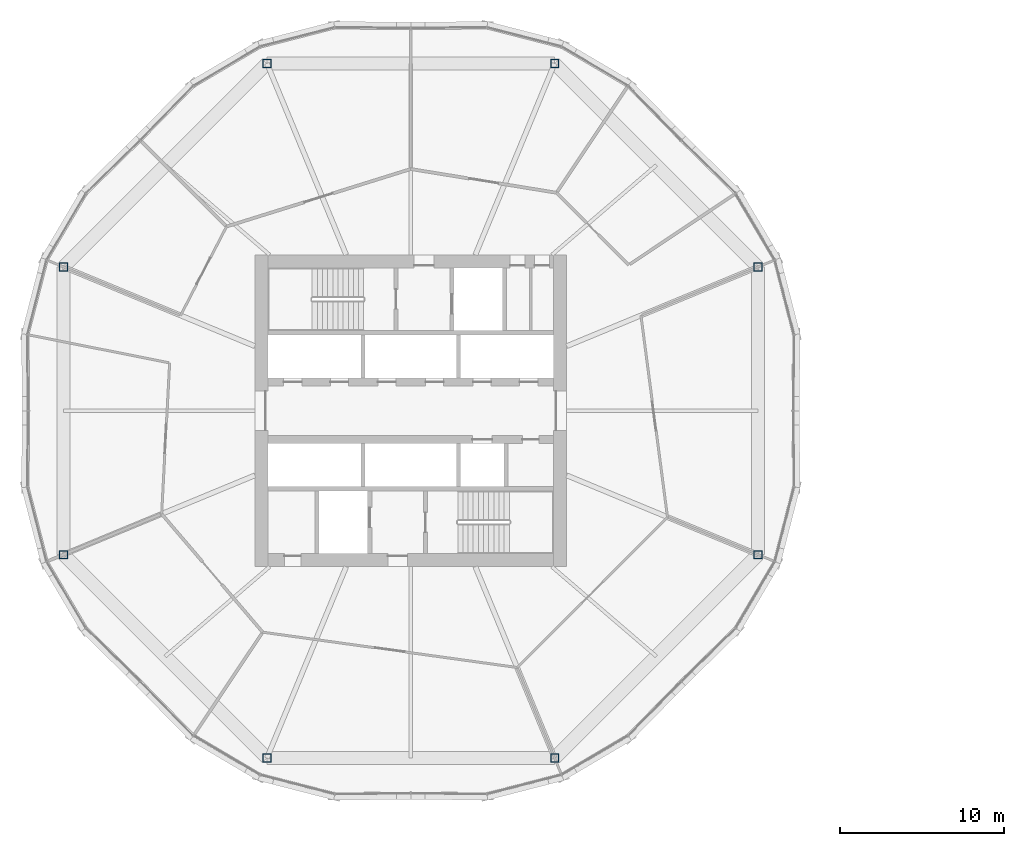
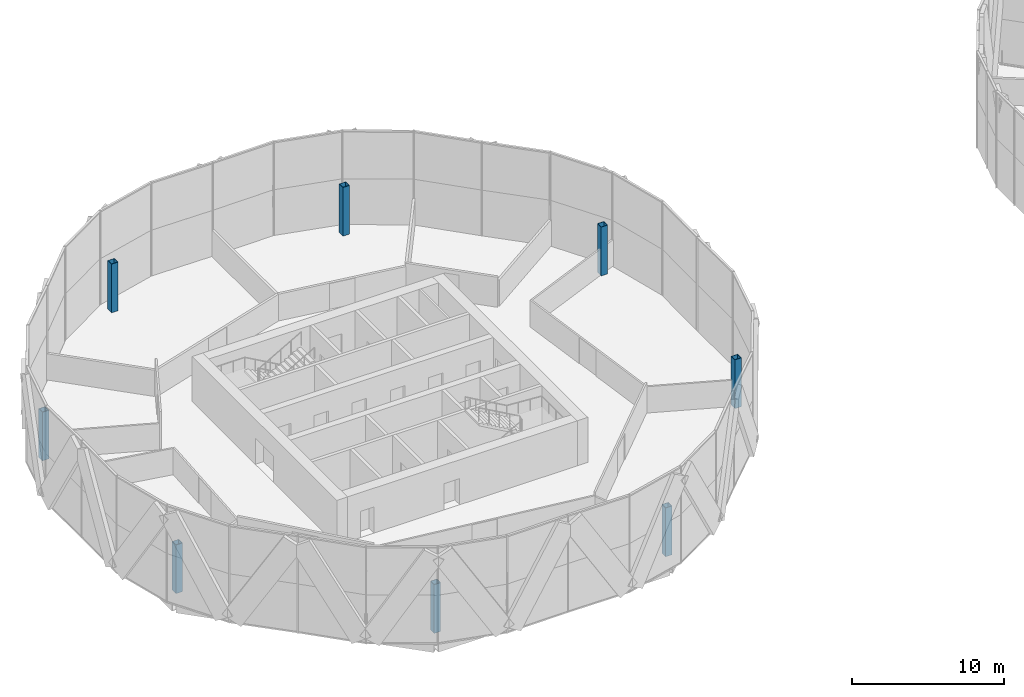
# One storey, part 1 of 31: 8 columns.
"""IFC4 building model written with IfcOpenShell, lengths in metres."""

import ifcopenshell
import ifcopenshell.guid

model = None  # the IFC model being written
_history = None  # IfcOwnerHistory: only IFC2X3 demands one
_inside = {}  # id of a spatial element -> (the spatial element, [elements in it])
_under = {}  # id of a project, library or spatial element -> (it, [spatial elements below it])
_declared = {}  # id of a project -> (the project, [libraries it declares])
_typed = {}  # id of a type object -> (the type object, [elements of that type])
_made_of = {}  # id of a material, layer set ... -> (it, [elements and type objects made of it])


def new_model(schema):
    """Start an empty IFC model of exactly this schema.

    Asked for "IFC4X3", IfcOpenShell would pick the latest addendum, in which some entities
    have other attributes; the version numbers below select the first issue.
    IFC2X3 requires an IfcOwnerHistory on every rooted entity: one is made here for all.
    """
    global model, _history
    if schema == "IFC4X3":
        model = ifcopenshell.file(schema_version=(4, 3, 0, 0))
    else:
        model = ifcopenshell.file(schema=schema)
    _inside.clear()
    _under.clear()
    _declared.clear()
    _typed.clear()
    _made_of.clear()
    _history = None
    if model.schema == "IFC2X3":
        org = make("IfcOrganization", Name="unknown")
        user = make(
            "IfcPersonAndOrganization",
            ThePerson=make("IfcPerson", FamilyName="unknown"),
            TheOrganization=org,
        )
        app = make(
            "IfcApplication",
            ApplicationDeveloper=org,
            Version="unknown",
            ApplicationFullName="unknown",
            ApplicationIdentifier="unknown",
        )
        _history = make(
            "IfcOwnerHistory",
            OwningUser=user,
            OwningApplication=app,
            ChangeAction="ADDED",
            CreationDate=0,
        )
    return model


def make(cls, **values):
    """One entity of the class cls with the attributes given. An attribute that is None is left unset."""
    return model.create_entity(
        cls, **{name: value for name, value in values.items() if value is not None}
    )


def rooted(cls, **values):
    """An entity with a GlobalId (a new one), such as an element, a storey or a relation."""
    return make(cls, GlobalId=ifcopenshell.guid.new(), OwnerHistory=_history, **values)


def si_unit(unit_type, name, prefix=None):
    """IfcSIUnit, for example si_unit("LENGTHUNIT", "METRE", prefix="MILLI")."""
    return make("IfcSIUnit", UnitType=unit_type, Prefix=prefix, Name=name)


def assignment(units):
    """IfcUnitAssignment: the units of a project."""
    return None if units is None else make("IfcUnitAssignment", Units=units)


def point(xyz):
    """IfcCartesianPoint."""
    return None if xyz is None else make("IfcCartesianPoint", Coordinates=xyz)


def direction(xyz):
    """IfcDirection."""
    return None if xyz is None else make("IfcDirection", DirectionRatios=xyz)


def frame(location, z_axis=None, x_axis=None):
    """IfcAxis2Placement3D, a coordinate frame: its origin and axes. An axis left out is left unset."""
    return make(
        "IfcAxis2Placement3D",
        Location=point(location),
        Axis=direction(z_axis),
        RefDirection=direction(x_axis),
    )


def frame_2d(location, x_axis=None):
    """IfcAxis2Placement2D, a coordinate frame in the plane: its origin and x axis."""
    return make(
        "IfcAxis2Placement2D", Location=point(location), RefDirection=direction(x_axis)
    )


def origin():
    """The frame at (0, 0, 0) with its axes left unset."""
    return frame((0.0, 0.0, 0.0))


def origin_2d():
    """The frame at (0, 0) in the plane with its x axis left unset."""
    return frame_2d((0.0, 0.0))


def place(relative_to, where):
    """IfcLocalPlacement: puts the frame where relative to a parent placement (None: the world)."""
    return make(
        "IfcLocalPlacement", PlacementRelTo=relative_to, RelativePlacement=where
    )


def context(
    kind, dimensions, precision=None, world=None, true_north=None, identifier=None
):
    """IfcGeometricRepresentationContext, for example the 3D "Model" context."""
    return make(
        "IfcGeometricRepresentationContext",
        ContextIdentifier=identifier,
        ContextType=kind,
        CoordinateSpaceDimension=dimensions,
        Precision=precision,
        WorldCoordinateSystem=world,
        TrueNorth=true_north,
    )


def subcontext(parent, identifier, kind, view, scale=None):
    """IfcGeometricRepresentationSubContext, for example "Body" below "Model"."""
    return make(
        "IfcGeometricRepresentationSubContext",
        ContextIdentifier=identifier,
        ContextType=kind,
        ParentContext=parent,
        TargetScale=scale,
        TargetView=view,
    )


def project(units=None, contexts=None):
    """IfcProject with its units and contexts."""
    return rooted(
        "IfcProject",
        Name="project",
        RepresentationContexts=contexts,
        UnitsInContext=assignment(units),
    )


def spatial(cls, under=None, at=None, **own):
    """A site, building, storey or space (cls), placed at a placement, below another one or the project."""
    s = rooted(cls, ObjectPlacement=at, **own)
    if under is not None:
        _under.setdefault(under.id(), (under, []))[1].append(s)
    return s


def profile(cls, at=None, kind="AREA", **sizes):
    """A parametric profile (cls). Its sizes go by their IFC names, for example OverallWidth=200.0."""
    return make(cls, ProfileType=kind, Position=at, **sizes)


def hollow_rectangle(**sizes):
    """IfcRectangleHollowProfileDef."""
    return profile("IfcRectangleHollowProfileDef", **sizes)


def extrude(swept, where, along, depth):
    """IfcExtrudedAreaSolid: the profile swept, set in the frame where, extruded along a direction by depth."""
    return make(
        "IfcExtrudedAreaSolid",
        SweptArea=swept,
        Position=where,
        ExtrudedDirection=direction(along),
        Depth=depth,
    )


def shape(context_of_items, identifier, shape_type, items):
    """IfcShapeRepresentation: the items that make up one representation, for example the "Body"."""
    return make(
        "IfcShapeRepresentation",
        ContextOfItems=context_of_items,
        RepresentationIdentifier=identifier,
        RepresentationType=shape_type,
        Items=items,
    )


def material(Name=None, Category=None):
    """IfcMaterial."""
    return make("IfcMaterial", Name=Name, Category=Category)


def material_profile(
    of_material, cross_section, Name=None, Category=None, Priority=None
):
    """IfcMaterialProfile: a cross section and its material."""
    return make(
        "IfcMaterialProfile",
        Name=Name,
        Material=of_material,
        Profile=cross_section,
        Priority=Priority,
        Category=Category,
    )


def profile_set(profiles, Name=None, composite=None):
    """IfcMaterialProfileSet."""
    return make(
        "IfcMaterialProfileSet",
        Name=Name,
        MaterialProfiles=profiles,
        CompositeProfile=composite,
    )


def made_of(thing, what):
    """Note that an element or type object is made of a material, layer set ...; save() writes the relation."""
    if what is not None:
        _made_of.setdefault(what.id(), (what, []))[1].append(thing)
    return thing


def type_object(cls, material=None, **own):
    """A type object (cls), such as IfcWallType, which elements share."""
    return made_of(rooted(cls, **own), material)


def element(
    cls,
    number,
    at=None,
    inside=None,
    cuts=None,
    type_object=None,
    material=None,
    context=None,
    identifier="Body",
    shape_type=None,
    held_by="IfcProductDefinitionShape",
    body=None,
    shapes=None,
    **own,
):
    """One element of the class cls, such as IfcWall. Its Tag is "e" and its number.

    at: its placement. inside: the storey or other place that contains it. cuts: it is an
    opening in that element (IfcRelVoidsElement). A single representation is given by context,
    identifier, shape_type and body (its items); several are given by shapes. held_by: the class
    of the entity that holds the representations. save() writes the other relations.
    """
    e = rooted(cls, Tag="e%d" % number, ObjectPlacement=at, **own)
    if body is not None:
        shapes = [shape(context, identifier, shape_type, body)]
    if shapes is not None:
        e.Representation = make(held_by, Representations=shapes)
    if inside is not None:
        _inside.setdefault(inside.id(), (inside, []))[1].append(e)
    if cuts is not None:
        rooted(
            "IfcRelVoidsElement", RelatingBuildingElement=cuts, RelatedOpeningElement=e
        )
    if type_object is not None:
        _typed.setdefault(type_object.id(), (type_object, []))[1].append(e)
    return made_of(e, material)


def aggregate(whole, parts):
    """IfcRelAggregates: a whole, such as a stair, and the parts it consists of."""
    return rooted("IfcRelAggregates", RelatingObject=whole, RelatedObjects=parts)


def save(model, path):
    """Write the relations noted so far, then the file.

    IfcRelAggregates (storeys below a building ...), IfcRelContainedInSpatialStructure (elements
    in a storey), IfcRelDefinesByType, IfcRelAssociatesMaterial and IfcRelDeclares: one each for
    every whole, place, type object, material and project.
    """
    for whole, parts in _under.values():
        aggregate(whole, parts)
    for where, things in _inside.values():
        rooted(
            "IfcRelContainedInSpatialStructure",
            RelatedElements=things,
            RelatingStructure=where,
        )
    for kind, things in _typed.values():
        rooted("IfcRelDefinesByType", RelatedObjects=things, RelatingType=kind)
    for what, things in _made_of.values():
        rooted("IfcRelAssociatesMaterial", RelatedObjects=things, RelatingMaterial=what)
    for by, libraries in _declared.values():
        rooted("IfcRelDeclares", RelatingContext=by, RelatedDefinitions=libraries)
    model.write(path)


model = new_model("IFC4")

# Units and contexts
model_context = context("Model", 3, precision=1e-05, world=origin(), true_north=direction((0.0, 1.0)))
body_context = subcontext(model_context, "Body", "Model", "MODEL_VIEW")
ifc_project = project(units=[si_unit("LENGTHUNIT", "METRE"), si_unit("AREAUNIT", "SQUARE_METRE"), si_unit("VOLUMEUNIT", "CUBIC_METRE"), si_unit("PLANEANGLEUNIT", "RADIAN"), si_unit("MASSUNIT", "GRAM", prefix="KILO")], contexts=[model_context])

# Site, building, storey
site_placement = place(None, origin())
site = spatial("IfcSite", under=ifc_project, at=site_placement, CompositionType="ELEMENT")
building_placement = place(site_placement, origin())
building = spatial("IfcBuilding", under=site, at=building_placement, Name="Ogive Gate Towers", CompositionType="ELEMENT")
storey_placement = place(building_placement, frame((0.0, 0.0, 63.60009765625)))
storey = spatial("IfcBuildingStorey", under=building, at=storey_placement, Name="L14", CompositionType="ELEMENT", Elevation=63.60009765625)

# Columns
ifc_material = material(Name="Steel SM460", Category="steel")
ifc_material_profile = material_profile(ifc_material, hollow_rectangle(XDim=0.5, YDim=0.5, WallThickness=0.030029296875, at=origin_2d()), Name="BX 500x500x30")
ifc_profile_set = profile_set([ifc_material_profile], Name="Steel SM460")
column_type = type_object("IfcColumnType", Name="Perimeter post BX 500x500x30", PredefinedType="COLUMN", material=ifc_profile_set)
for number, where, z_axis, x_axis, name in (
    (1, (-14.84326171875, 8.763427734375, 0.0), (0.0, 0.0, 1.0), (1.0, 0.0, 0.0), "T1/L14/SCL001"),
    (2, (-27.236572265625, 21.15673828125, 0.0), (0.0, 0.0, 1.0), (1.0, 0.0, 0.0), "T1/L14/SCL002"),
    (3, (-44.763427734375, 21.15673828125, 0.0), (0.0, 0.0, 1.0), (1.0, 0.0, 0.0), "T1/L14/SCL003"),
    (4, (-57.15673828125, 8.763427734375, 0.0), (0.0, 0.0, 1.0), (1.0, 0.0, 0.0), "T1/L14/SCL004"),
    (5, (-57.15673828125, -8.763427734375, 0.0), (0.0, 0.0, 1.0), (1.0, 0.0, 0.0), "T1/L14/SCL005"),
    (6, (-44.763427734375, -21.15673828125, 0.0), (0.0, 0.0, 1.0), (1.0, 0.0, 0.0), "T1/L14/SCL006"),
    (7, (-27.236572265625, -21.15673828125, 0.0), (0.0, 0.0, 1.0), (1.0, 0.0, 0.0), "T1/L14/SCL007"),
    (8, (-14.84326171875, -8.763427734375, 0.0), (0.0, 0.0, 1.0), (1.0, 0.0, 0.0), "T1/L14/SCL008"),
):
    element("IfcColumn", number, at=place(storey_placement, frame(where, z_axis=z_axis, x_axis=x_axis)), inside=storey, type_object=column_type, Name=name, PredefinedType="COLUMN", context=body_context, shape_type="SweptSolid", body=[
        extrude(hollow_rectangle(XDim=0.5, YDim=0.5, WallThickness=0.030029296875, at=origin_2d()), origin(), (0.0, 0.0, 1.0), 3.89990234375),
    ])

save(model, "model.ifc")
